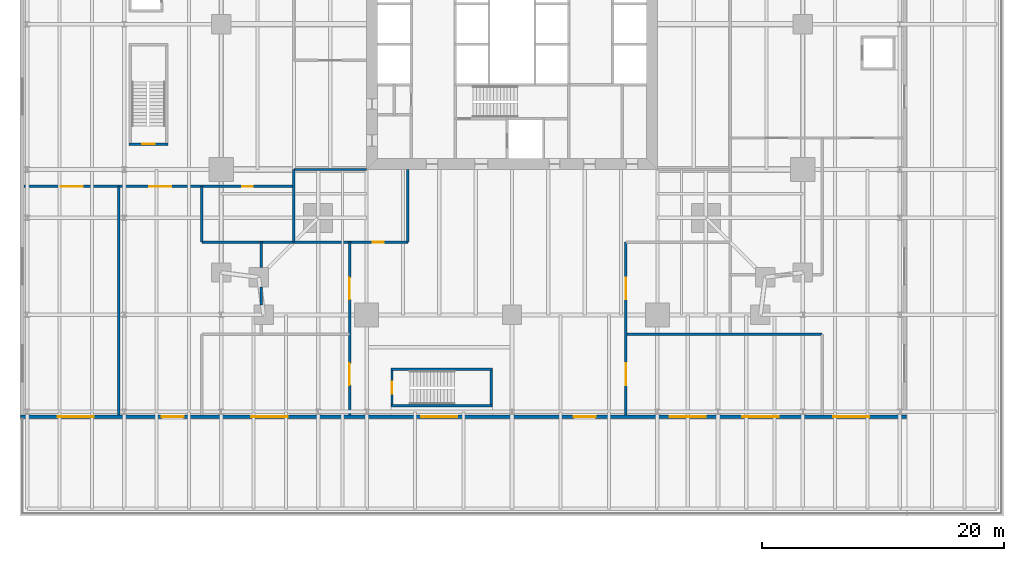
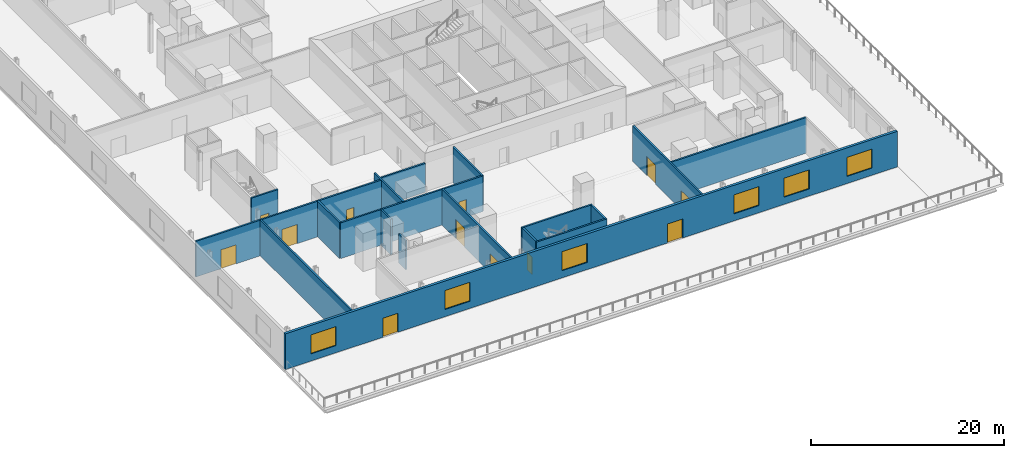
# One storey, part 10 of 18: 18 walls, 12 doors, 6 windows, 18 openings.
"""IFC4 building model written with IfcOpenShell, lengths in metres."""

from ifc_helpers import new_model, si_unit, direction, frame, frame_2d, origin, place, context, subcontext, project, spatial, rectangle, extrude, material, layer, layer_set, type_object, element, fill, save


model = new_model("IFC4")

# Units and contexts
model_context = context("Model", 3, precision=1e-05, world=origin(), true_north=direction((0.0, 1.0)))
body_context = subcontext(model_context, "Body", "Model", "MODEL_VIEW")
ifc_project = project(units=[si_unit("LENGTHUNIT", "METRE"), si_unit("AREAUNIT", "SQUARE_METRE"), si_unit("VOLUMEUNIT", "CUBIC_METRE"), si_unit("PLANEANGLEUNIT", "RADIAN"), si_unit("MASSUNIT", "GRAM", prefix="KILO")], contexts=[model_context])

# Site, building, storey
site_placement = place(None, origin())
site = spatial("IfcSite", under=ifc_project, at=site_placement, CompositionType="ELEMENT")
building_placement = place(site_placement, origin())
building = spatial("IfcBuilding", under=site, at=building_placement, Name="Fenwick Lantern Interchange", CompositionType="ELEMENT")
storey_placement = place(building_placement, frame((0.0, 0.0, 11.800048828125)))
storey = spatial("IfcBuildingStorey", under=building, at=storey_placement, Name="L02", CompositionType="ELEMENT", Elevation=11.800048828125)

# Wall, openings, doors, windows
ifc_material_1 = material(Name="Limestone ASTM C568 Classification II", Category="masonry")
ifc_layer_1 = layer(ifc_material_1, 0.074951171875)
ifc_material_2 = material(Name="Mineral wool insulation")
ifc_layer_2 = layer(ifc_material_2, 0.125)
ifc_material_3 = material(Name="Cold-formed galvanised steel studs", Category="steel")
ifc_layer_3 = layer(ifc_material_3, 0.10009765625)
ifc_layer_set_1 = layer_set([ifc_layer_1, ifc_layer_2, ifc_layer_3], Name="Limestone ASTM C568 Classification II")
wall_type_1 = type_object("IfcWallType", Name="LIMESTONE RAINSCREEN WALL 300", PredefinedType="SOLIDWALL", material=ifc_layer_set_1)
wall_1_placement = place(storey_placement, frame((-15.550048828125, -7.39990234375, 0.0), z_axis=(0.0, 0.0, 1.0), x_axis=(1.0, 0.0, 0.0)))
wall_1 = element("IfcWall", 1, at=wall_1_placement, inside=storey, type_object=wall_type_1, Name="L02/EW/S", PredefinedType="SOLIDWALL", context=body_context, shape_type="SweptSolid", body=[
    extrude(rectangle(XDim=73.10009765625, YDim=0.300048828125, at=frame_2d((36.550048828125, 0.0))), origin(), (0.0, 0.0, 1.0), 4.5),
])
opening_1_placement = place(wall_1_placement, frame((11.64990234375, 0.0, 0.0)))
opening_1 = element("IfcOpeningElement", 2, at=opening_1_placement, cuts=wall_1, Name="Opening L02-D001", PredefinedType="OPENING", context=body_context, shape_type="SweptSolid", body=[
    extrude(rectangle(XDim=1.800048828125, YDim=2.39990234375, at=frame_2d((0.89990234375, 1.199951171875))), frame((0.0, 0.159912109375, 0.0), z_axis=(0.0, -1.0, 0.0), x_axis=(1.0, 0.0, 0.0)), (0.0, 0.0, 1.0), 0.320068359375),
])
opening_2_placement = place(wall_1_placement, frame((45.64990234375, 0.0, 0.0)))
opening_2 = element("IfcOpeningElement", 3, at=opening_2_placement, cuts=wall_1, Name="Opening L02-D002", PredefinedType="OPENING", context=body_context, shape_type="SweptSolid", body=[
    extrude(rectangle(XDim=1.800048828125, YDim=2.39990234375, at=frame_2d((0.89990234375, 1.199951171875))), frame((0.0, 0.159912109375, 0.0), z_axis=(0.0, -1.0, 0.0), x_axis=(1.0, 0.0, 0.0)), (0.0, 0.0, 1.0), 0.320068359375),
])
opening_3_placement = place(wall_1_placement, frame((3.050048828125, 0.0, 0.89990234375)))
opening_3 = element("IfcOpeningElement", 4, at=opening_3_placement, cuts=wall_1, Name="Opening W1", PredefinedType="OPENING", context=body_context, shape_type="SweptSolid", body=[
    extrude(rectangle(XDim=3.0, YDim=2.39990234375, at=frame_2d((1.5, 1.199951171875))), frame((0.0, 0.159912109375, 0.0), z_axis=(0.0, -1.0, 0.0), x_axis=(1.0, 0.0, 0.0)), (0.0, 0.0, 1.0), 0.320068359375),
])
opening_4_placement = place(wall_1_placement, frame((19.050048828125, 0.0, 0.89990234375)))
opening_4 = element("IfcOpeningElement", 5, at=opening_4_placement, cuts=wall_1, Name="Opening W1", PredefinedType="OPENING", context=body_context, shape_type="SweptSolid", body=[
    extrude(rectangle(XDim=3.0, YDim=2.39990234375, at=frame_2d((1.5, 1.199951171875))), frame((0.0, 0.159912109375, 0.0), z_axis=(0.0, -1.0, 0.0), x_axis=(1.0, 0.0, 0.0)), (0.0, 0.0, 1.0), 0.320068359375),
])
opening_5_placement = place(wall_1_placement, frame((33.050048828125, 0.0, 0.89990234375)))
opening_5 = element("IfcOpeningElement", 6, at=opening_5_placement, cuts=wall_1, Name="Opening W1", PredefinedType="OPENING", context=body_context, shape_type="SweptSolid", body=[
    extrude(rectangle(XDim=3.0, YDim=2.39990234375, at=frame_2d((1.5, 1.199951171875))), frame((0.0, 0.159912109375, 0.0), z_axis=(0.0, -1.0, 0.0), x_axis=(1.0, 0.0, 0.0)), (0.0, 0.0, 1.0), 0.320068359375),
])
opening_6_placement = place(wall_1_placement, frame((53.550048828125, 0.0, 0.89990234375)))
opening_6 = element("IfcOpeningElement", 7, at=opening_6_placement, cuts=wall_1, Name="Opening W1", PredefinedType="OPENING", context=body_context, shape_type="SweptSolid", body=[
    extrude(rectangle(XDim=3.0, YDim=2.39990234375, at=frame_2d((1.5, 1.199951171875))), frame((0.0, 0.159912109375, 0.0), z_axis=(0.0, -1.0, 0.0), x_axis=(1.0, 0.0, 0.0)), (0.0, 0.0, 1.0), 0.320068359375),
])
opening_7_placement = place(wall_1_placement, frame((59.550048828125, 0.0, 0.89990234375)))
opening_7 = element("IfcOpeningElement", 8, at=opening_7_placement, cuts=wall_1, Name="Opening W1", PredefinedType="OPENING", context=body_context, shape_type="SweptSolid", body=[
    extrude(rectangle(XDim=3.0, YDim=2.39990234375, at=frame_2d((1.5, 1.199951171875))), frame((0.0, 0.159912109375, 0.0), z_axis=(0.0, -1.0, 0.0), x_axis=(1.0, 0.0, 0.0)), (0.0, 0.0, 1.0), 0.320068359375),
])
opening_8_placement = place(wall_1_placement, frame((67.050048828125, 0.0, 0.89990234375)))
opening_8 = element("IfcOpeningElement", 9, at=opening_8_placement, cuts=wall_1, Name="Opening W1", PredefinedType="OPENING", context=body_context, shape_type="SweptSolid", body=[
    extrude(rectangle(XDim=3.0, YDim=2.39990234375, at=frame_2d((1.5, 1.199951171875))), frame((0.0, 0.159912109375, 0.0), z_axis=(0.0, -1.0, 0.0), x_axis=(1.0, 0.0, 0.0)), (0.0, 0.0, 1.0), 0.320068359375),
])
ifc_material_4 = material(Name="Aluminium glazed door", Category="aluminium")
door_type_1 = type_object("IfcDoorType", Name="ENTRANCE DOOR PAIR 1800 X 2400", OperationType="DOUBLE_DOOR_SINGLE_SWING", PredefinedType="DOOR", material=ifc_material_4)
door_1_placement = place(opening_1_placement, origin())
door_1 = element("IfcDoor", 10, at=door_1_placement, inside=storey, type_object=door_type_1, Name="Entrance door pair", OperationType="DOUBLE_DOOR_SINGLE_SWING", OverallHeight=2.39990234375, OverallWidth=1.800048828125, PredefinedType="DOOR", context=body_context, shape_type="SweptSolid", body=[
    extrude(rectangle(XDim=1.800048828125, YDim=2.39990234375, at=frame_2d((0.89990234375, 1.199951171875))), frame((0.0, 0.02490234375, 0.0), z_axis=(0.0, -1.0, 0.0), x_axis=(1.0, 0.0, 0.0)), (0.0, 0.0, 1.0), 0.050048828125),
])
fill(opening_1, door_1)
door_2_placement = place(opening_2_placement, origin())
door_2 = element("IfcDoor", 11, at=door_2_placement, inside=storey, type_object=door_type_1, Name="Entrance door pair", OperationType="DOUBLE_DOOR_SINGLE_SWING", OverallHeight=2.39990234375, OverallWidth=1.800048828125, PredefinedType="DOOR", context=body_context, shape_type="SweptSolid", body=[
    extrude(rectangle(XDim=1.800048828125, YDim=2.39990234375, at=frame_2d((0.89990234375, 1.199951171875))), frame((0.0, 0.02490234375, 0.0), z_axis=(0.0, -1.0, 0.0), x_axis=(1.0, 0.0, 0.0)), (0.0, 0.0, 1.0), 0.050048828125),
])
fill(opening_2, door_2)
ifc_material_5 = material(Name="Aluminium window, clear glass", Category="aluminium")
window_type = type_object("IfcWindowType", Name="PODIUM WINDOW 3000 X 2400", PartitioningType="SINGLE_PANEL", PredefinedType="WINDOW", material=ifc_material_5)
window_1_placement = place(opening_3_placement, origin())
window_1 = element("IfcWindow", 12, at=window_1_placement, inside=storey, type_object=window_type, Name="Podium window", OverallHeight=2.39990234375, OverallWidth=3.0, PartitioningType="SINGLE_PANEL", PredefinedType="WINDOW", context=body_context, shape_type="SweptSolid", body=[
    extrude(rectangle(XDim=3.0, YDim=2.39990234375, at=frame_2d((1.5, 1.199951171875))), frame((0.0, 0.030029296875, 0.0), z_axis=(0.0, -1.0, 0.0), x_axis=(1.0, 0.0, 0.0)), (0.0, 0.0, 1.0), 0.06005859375),
])
fill(opening_3, window_1)
window_2_placement = place(opening_4_placement, origin())
window_2 = element("IfcWindow", 13, at=window_2_placement, inside=storey, type_object=window_type, Name="Podium window", OverallHeight=2.39990234375, OverallWidth=3.0, PartitioningType="SINGLE_PANEL", PredefinedType="WINDOW", context=body_context, shape_type="SweptSolid", body=[
    extrude(rectangle(XDim=3.0, YDim=2.39990234375, at=frame_2d((1.5, 1.199951171875))), frame((0.0, 0.030029296875, 0.0), z_axis=(0.0, -1.0, 0.0), x_axis=(1.0, 0.0, 0.0)), (0.0, 0.0, 1.0), 0.06005859375),
])
fill(opening_4, window_2)
window_3_placement = place(opening_5_placement, origin())
window_3 = element("IfcWindow", 14, at=window_3_placement, inside=storey, type_object=window_type, Name="Podium window", OverallHeight=2.39990234375, OverallWidth=3.0, PartitioningType="SINGLE_PANEL", PredefinedType="WINDOW", context=body_context, shape_type="SweptSolid", body=[
    extrude(rectangle(XDim=3.0, YDim=2.39990234375, at=frame_2d((1.5, 1.199951171875))), frame((0.0, 0.030029296875, 0.0), z_axis=(0.0, -1.0, 0.0), x_axis=(1.0, 0.0, 0.0)), (0.0, 0.0, 1.0), 0.06005859375),
])
fill(opening_5, window_3)
window_4_placement = place(opening_6_placement, origin())
window_4 = element("IfcWindow", 15, at=window_4_placement, inside=storey, type_object=window_type, Name="Podium window", OverallHeight=2.39990234375, OverallWidth=3.0, PartitioningType="SINGLE_PANEL", PredefinedType="WINDOW", context=body_context, shape_type="SweptSolid", body=[
    extrude(rectangle(XDim=3.0, YDim=2.39990234375, at=frame_2d((1.5, 1.199951171875))), frame((0.0, 0.030029296875, 0.0), z_axis=(0.0, -1.0, 0.0), x_axis=(1.0, 0.0, 0.0)), (0.0, 0.0, 1.0), 0.06005859375),
])
fill(opening_6, window_4)
window_5_placement = place(opening_7_placement, origin())
window_5 = element("IfcWindow", 16, at=window_5_placement, inside=storey, type_object=window_type, Name="Podium window", OverallHeight=2.39990234375, OverallWidth=3.0, PartitioningType="SINGLE_PANEL", PredefinedType="WINDOW", context=body_context, shape_type="SweptSolid", body=[
    extrude(rectangle(XDim=3.0, YDim=2.39990234375, at=frame_2d((1.5, 1.199951171875))), frame((0.0, 0.030029296875, 0.0), z_axis=(0.0, -1.0, 0.0), x_axis=(1.0, 0.0, 0.0)), (0.0, 0.0, 1.0), 0.06005859375),
])
fill(opening_7, window_5)
window_6_placement = place(opening_8_placement, origin())
window_6 = element("IfcWindow", 17, at=window_6_placement, inside=storey, type_object=window_type, Name="Podium window", OverallHeight=2.39990234375, OverallWidth=3.0, PartitioningType="SINGLE_PANEL", PredefinedType="WINDOW", context=body_context, shape_type="SweptSolid", body=[
    extrude(rectangle(XDim=3.0, YDim=2.39990234375, at=frame_2d((1.5, 1.199951171875))), frame((0.0, 0.030029296875, 0.0), z_axis=(0.0, -1.0, 0.0), x_axis=(1.0, 0.0, 0.0)), (0.0, 0.0, 1.0), 0.06005859375),
])
fill(opening_8, window_6)

# Walls
ifc_material_6 = material(Name="Gypsum board on steel studs, 1 hour", Category="steel")
ifc_layer_4 = layer(ifc_material_6, 0.199951171875)
ifc_layer_set_2 = layer_set([ifc_layer_4], Name="ROOM WALL 200")
wall_type_2 = type_object("IfcWallType", Name="ROOM WALL 200", PredefinedType="PARTITIONING", material=ifc_layer_set_2)
wall_2_placement = place(storey_placement, frame((-7.449951171875, -7.25, 0.0), z_axis=(0.0, 0.0, 1.0), x_axis=(0.0, 1.0, 0.0)))
element("IfcWall", 18, at=wall_2_placement, inside=storey, type_object=wall_type_2, Name="L02/W/POD/X-7.45-1", PredefinedType="PARTITIONING", context=body_context, shape_type="SweptSolid", body=[
    extrude(rectangle(XDim=18.85009765625, YDim=0.199951171875, at=frame_2d((9.425048828125, 0.0))), origin(), (0.0, 0.0, 1.0), 4.5),
])
wall_3_placement = place(storey_placement, frame((-0.60009765625, 7.0, 0.0), z_axis=(0.0, 0.0, 1.0), x_axis=(0.0, 1.0, 0.0)))
element("IfcWall", 19, at=wall_3_placement, inside=storey, type_object=wall_type_2, Name="L02/W/POD/X-0.6-2", PredefinedType="PARTITIONING", context=body_context, shape_type="SweptSolid", body=[
    extrude(rectangle(XDim=4.60009765625, YDim=0.199951171875, at=frame_2d((2.300048828125, 0.0))), origin(), (0.0, 0.0, 1.0), 4.5),
])
wall_4_placement = place(storey_placement, frame((4.300048828125, 1.800048828125, 0.0), z_axis=(0.0, 0.0, 1.0), x_axis=(0.0, 1.0, 0.0)))
element("IfcWall", 20, at=wall_4_placement, inside=storey, type_object=wall_type_2, Name="L02/W/POD/X4.3-2", PredefinedType="PARTITIONING", context=body_context, shape_type="SweptSolid", body=[
    extrude(rectangle(XDim=1.5, YDim=0.199951171875, at=frame_2d((0.75, 0.0))), origin(), (0.0, 0.0, 1.0), 3.64990234375),
])
wall_5_placement = place(storey_placement, frame((4.300048828125, 4.89990234375, 0.0), z_axis=(0.0, 0.0, 1.0), x_axis=(0.0, 1.0, 0.0)))
element("IfcWall", 21, at=wall_5_placement, inside=storey, type_object=wall_type_2, Name="L02/W/POD/X4.3-3", PredefinedType="PARTITIONING", context=body_context, shape_type="SweptSolid", body=[
    extrude(rectangle(XDim=2.10009765625, YDim=0.199951171875, at=frame_2d((1.050048828125, 0.0))), origin(), (0.0, 0.0, 1.0), 4.5),
])
wall_6_placement = place(storey_placement, frame((7.0, 7.0, 0.0), z_axis=(0.0, 0.0, 1.0), x_axis=(0.0, 1.0, 0.0)))
element("IfcWall", 22, at=wall_6_placement, inside=storey, type_object=wall_type_2, Name="L02/W/POD/X7-1", PredefinedType="PARTITIONING", context=body_context, shape_type="SweptSolid", body=[
    extrude(rectangle(XDim=6.0, YDim=0.199951171875, at=frame_2d((3.0, 0.0))), origin(), (0.0, 0.0, 1.0), 4.5),
])

# Wall, openings, doors
wall_7_placement = place(storey_placement, frame((11.60009765625, -7.25, 0.0), z_axis=(0.0, 0.0, 1.0), x_axis=(0.0, 1.0, 0.0)))
wall_7 = element("IfcWall", 23, at=wall_7_placement, inside=storey, type_object=wall_type_2, Name="L02/W/POD/X11.6-1", PredefinedType="PARTITIONING", context=body_context, shape_type="SweptSolid", body=[
    extrude(rectangle(XDim=14.25, YDim=0.199951171875, at=frame_2d((7.125, 0.0))), origin(), (0.0, 0.0, 1.0), 4.5),
])
opening_9_placement = place(wall_7_placement, frame((2.449951171875, 0.0, 0.0)))
opening_9 = element("IfcOpeningElement", 24, at=opening_9_placement, cuts=wall_7, Name="Opening L02-D028", PredefinedType="OPENING", context=body_context, shape_type="SweptSolid", body=[
    extrude(rectangle(XDim=1.800048828125, YDim=2.39990234375, at=frame_2d((0.89990234375, 1.199951171875))), frame((0.0, 0.10986328125, 0.0), z_axis=(0.0, -1.0, 0.0), x_axis=(1.0, 0.0, 0.0)), (0.0, 0.0, 1.0), 0.219970703125),
])
opening_10_placement = place(wall_7_placement, frame((9.52490234375, 0.0, 0.0)))
opening_10 = element("IfcOpeningElement", 25, at=opening_10_placement, cuts=wall_7, Name="Opening L02-D029", PredefinedType="OPENING", context=body_context, shape_type="SweptSolid", body=[
    extrude(rectangle(XDim=1.800048828125, YDim=2.39990234375, at=frame_2d((0.89990234375, 1.199951171875))), frame((0.0, 0.10986328125, 0.0), z_axis=(0.0, -1.0, 0.0), x_axis=(1.0, 0.0, 0.0)), (0.0, 0.0, 1.0), 0.219970703125),
])
ifc_material_7 = material(Name="Steel door and frame", Category="steel")
door_type_2 = type_object("IfcDoorType", Name="ROOM DOOR PAIR 1800 X 2400", OperationType="DOUBLE_DOOR_SINGLE_SWING", PredefinedType="DOOR", material=ifc_material_7)
door_3_placement = place(opening_9_placement, frame((1.800048828125, 0.0, 0.0), z_axis=(0.0, 0.0, 1.0), x_axis=(-1.0, 0.0, 0.0)))
door_3 = element("IfcDoor", 26, at=door_3_placement, inside=storey, type_object=door_type_2, Name="Room door pair", OperationType="DOUBLE_DOOR_SINGLE_SWING", OverallHeight=2.39990234375, OverallWidth=1.800048828125, PredefinedType="DOOR", context=body_context, shape_type="SweptSolid", body=[
    extrude(rectangle(XDim=1.800048828125, YDim=2.39990234375, at=frame_2d((0.89990234375, 1.199951171875))), frame((0.0, 0.02490234375, 0.0), z_axis=(0.0, -1.0, 0.0), x_axis=(1.0, 0.0, 0.0)), (0.0, 0.0, 1.0), 0.050048828125),
])
fill(opening_9, door_3)
door_4_placement = place(opening_10_placement, frame((1.800048828125, 0.0, 0.0), z_axis=(0.0, 0.0, 1.0), x_axis=(-1.0, 0.0, 0.0)))
door_4 = element("IfcDoor", 27, at=door_4_placement, inside=storey, type_object=door_type_2, Name="Room door pair", OperationType="DOUBLE_DOOR_SINGLE_SWING", OverallHeight=2.39990234375, OverallWidth=1.800048828125, PredefinedType="DOOR", context=body_context, shape_type="SweptSolid", body=[
    extrude(rectangle(XDim=1.800048828125, YDim=2.39990234375, at=frame_2d((0.89990234375, 1.199951171875))), frame((0.0, 0.02490234375, 0.0), z_axis=(0.0, -1.0, 0.0), x_axis=(1.0, 0.0, 0.0)), (0.0, 0.0, 1.0), 0.050048828125),
])
fill(opening_10, door_4)

# Wall
wall_8_placement = place(storey_placement, frame((16.39990234375, 7.0, 0.0), z_axis=(0.0, 0.0, 1.0), x_axis=(0.0, 1.0, 0.0)))
element("IfcWall", 28, at=wall_8_placement, inside=storey, type_object=wall_type_2, Name="L02/W/POD/X16.4-1", PredefinedType="PARTITIONING", context=body_context, shape_type="SweptSolid", body=[
    extrude(rectangle(XDim=6.0, YDim=0.199951171875, at=frame_2d((3.0, 0.0))), origin(), (0.0, 0.0, 1.0), 4.5),
])

# Wall, openings, doors
wall_9_placement = place(storey_placement, frame((34.39990234375, -7.25, 0.0), z_axis=(0.0, 0.0, 1.0), x_axis=(0.0, 1.0, 0.0)))
wall_9 = element("IfcWall", 29, at=wall_9_placement, inside=storey, type_object=wall_type_2, Name="L02/W/POD/X34.4-1", PredefinedType="PARTITIONING", context=body_context, shape_type="SweptSolid", body=[
    extrude(rectangle(XDim=14.25, YDim=0.199951171875, at=frame_2d((7.125, 0.0))), origin(), (0.0, 0.0, 1.0), 4.5),
])
opening_11_placement = place(wall_9_placement, frame((2.449951171875, 0.0, 0.0)))
opening_11 = element("IfcOpeningElement", 30, at=opening_11_placement, cuts=wall_9, Name="Opening L02-D033", PredefinedType="OPENING", context=body_context, shape_type="SweptSolid", body=[
    extrude(rectangle(XDim=1.800048828125, YDim=2.39990234375, at=frame_2d((0.89990234375, 1.199951171875))), frame((0.0, 0.10986328125, 0.0), z_axis=(0.0, -1.0, 0.0), x_axis=(1.0, 0.0, 0.0)), (0.0, 0.0, 1.0), 0.219970703125),
])
opening_12_placement = place(wall_9_placement, frame((9.52490234375, 0.0, 0.0)))
opening_12 = element("IfcOpeningElement", 31, at=opening_12_placement, cuts=wall_9, Name="Opening L02-D034", PredefinedType="OPENING", context=body_context, shape_type="SweptSolid", body=[
    extrude(rectangle(XDim=1.800048828125, YDim=2.39990234375, at=frame_2d((0.89990234375, 1.199951171875))), frame((0.0, 0.10986328125, 0.0), z_axis=(0.0, -1.0, 0.0), x_axis=(1.0, 0.0, 0.0)), (0.0, 0.0, 1.0), 0.219970703125),
])
door_5_placement = place(opening_11_placement, origin())
door_5 = element("IfcDoor", 32, at=door_5_placement, inside=storey, type_object=door_type_2, Name="Room door pair", OperationType="DOUBLE_DOOR_SINGLE_SWING", OverallHeight=2.39990234375, OverallWidth=1.800048828125, PredefinedType="DOOR", context=body_context, shape_type="SweptSolid", body=[
    extrude(rectangle(XDim=1.800048828125, YDim=2.39990234375, at=frame_2d((0.89990234375, 1.199951171875))), frame((0.0, 0.02490234375, 0.0), z_axis=(0.0, -1.0, 0.0), x_axis=(1.0, 0.0, 0.0)), (0.0, 0.0, 1.0), 0.050048828125),
])
fill(opening_11, door_5)
door_6_placement = place(opening_12_placement, origin())
door_6 = element("IfcDoor", 33, at=door_6_placement, inside=storey, type_object=door_type_2, Name="Room door pair", OperationType="DOUBLE_DOOR_SINGLE_SWING", OverallHeight=2.39990234375, OverallWidth=1.800048828125, PredefinedType="DOOR", context=body_context, shape_type="SweptSolid", body=[
    extrude(rectangle(XDim=1.800048828125, YDim=2.39990234375, at=frame_2d((0.89990234375, 1.199951171875))), frame((0.0, 0.02490234375, 0.0), z_axis=(0.0, -1.0, 0.0), x_axis=(1.0, 0.0, 0.0)), (0.0, 0.0, 1.0), 0.050048828125),
])
fill(opening_12, door_6)

# Wall
wall_10_placement = place(storey_placement, frame((34.39990234375, -0.60009765625, 0.0), z_axis=(0.0, 0.0, 1.0), x_axis=(1.0, 0.0, 0.0)))
element("IfcWall", 34, at=wall_10_placement, inside=storey, type_object=wall_type_2, Name="L02/W/POD/Y-0.6-2", PredefinedType="PARTITIONING", context=body_context, shape_type="SweptSolid", body=[
    extrude(rectangle(XDim=16.2001953125, YDim=0.199951171875, at=frame_2d((8.10009765625, 0.0))), origin(), (0.0, 0.0, 1.0), 4.5),
])

# Wall, opening, door
wall_11_placement = place(storey_placement, frame((-0.60009765625, 7.0, 0.0), z_axis=(0.0, 0.0, 1.0), x_axis=(1.0, 0.0, 0.0)))
wall_11 = element("IfcWall", 35, at=wall_11_placement, inside=storey, type_object=wall_type_2, Name="L02/W/POD/Y7-1", PredefinedType="PARTITIONING", context=body_context, shape_type="SweptSolid", body=[
    extrude(rectangle(XDim=17.0, YDim=0.199951171875, at=frame_2d((8.5, 0.0))), origin(), (0.0, 0.0, 1.0), 4.5),
])
opening_13_placement = place(wall_11_placement, frame((14.125, 0.0, 0.0)))
opening_13 = element("IfcOpeningElement", 36, at=opening_13_placement, cuts=wall_11, Name="Opening L02-D048", PredefinedType="OPENING", context=body_context, shape_type="SweptSolid", body=[
    extrude(rectangle(XDim=0.89990234375, YDim=2.199951171875, at=frame_2d((0.449951171875, 1.10009765625))), frame((0.0, 0.10986328125, 0.0), z_axis=(0.0, -1.0, 0.0), x_axis=(1.0, 0.0, 0.0)), (0.0, 0.0, 1.0), 0.219970703125),
])
ifc_material_8 = material(Name="Hardwood door and steel frame", Category="steel")
door_type_3 = type_object("IfcDoorType", Name="OFFICE DOOR 900 X 2200", OperationType="SINGLE_SWING_LEFT", PredefinedType="DOOR", material=ifc_material_8)
door_7_placement = place(opening_13_placement, origin())
door_7 = element("IfcDoor", 37, at=door_7_placement, inside=storey, type_object=door_type_3, Name="Office door", OperationType="SINGLE_SWING_RIGHT", OverallHeight=2.199951171875, OverallWidth=0.89990234375, PredefinedType="DOOR", context=body_context, shape_type="SweptSolid", body=[
    extrude(rectangle(XDim=0.89990234375, YDim=2.199951171875, at=frame_2d((0.449951171875, 1.10009765625))), frame((0.0, 0.02490234375, 0.0), z_axis=(0.0, -1.0, 0.0), x_axis=(1.0, 0.0, 0.0)), (0.0, 0.0, 1.0), 0.050048828125),
])
fill(opening_13, door_7)

# Wall, openings, doors
wall_12_placement = place(storey_placement, frame((-15.25, 11.60009765625, 0.0), z_axis=(0.0, 0.0, 1.0), x_axis=(1.0, 0.0, 0.0)))
wall_12 = element("IfcWall", 38, at=wall_12_placement, inside=storey, type_object=wall_type_2, Name="L02/W/POD/Y11.6-1", PredefinedType="PARTITIONING", context=body_context, shape_type="SweptSolid", body=[
    extrude(rectangle(XDim=22.25, YDim=0.199951171875, at=frame_2d((11.125, 0.0))), origin(), (0.0, 0.0, 1.0), 4.5),
])
opening_14_placement = place(wall_12_placement, frame((10.324951171875, 0.0, 0.0)))
opening_14 = element("IfcOpeningElement", 39, at=opening_14_placement, cuts=wall_12, Name="Opening L02-D030", PredefinedType="OPENING", context=body_context, shape_type="SweptSolid", body=[
    extrude(rectangle(XDim=1.800048828125, YDim=2.39990234375, at=frame_2d((0.89990234375, 1.199951171875))), frame((0.0, 0.10986328125, 0.0), z_axis=(0.0, -1.0, 0.0), x_axis=(1.0, 0.0, 0.0)), (0.0, 0.0, 1.0), 0.219970703125),
])
opening_15_placement = place(wall_12_placement, frame((3.02490234375, 0.0, 0.0)))
opening_15 = element("IfcOpeningElement", 40, at=opening_15_placement, cuts=wall_12, Name="Opening L02-D031", PredefinedType="OPENING", context=body_context, shape_type="SweptSolid", body=[
    extrude(rectangle(XDim=1.800048828125, YDim=2.39990234375, at=frame_2d((0.89990234375, 1.199951171875))), frame((0.0, 0.10986328125, 0.0), z_axis=(0.0, -1.0, 0.0), x_axis=(1.0, 0.0, 0.0)), (0.0, 0.0, 1.0), 0.219970703125),
])
opening_16_placement = place(wall_12_placement, frame((17.97509765625, 0.0, 0.0)))
opening_16 = element("IfcOpeningElement", 41, at=opening_16_placement, cuts=wall_12, Name="Opening L02-D032", PredefinedType="OPENING", context=body_context, shape_type="SweptSolid", body=[
    extrude(rectangle(XDim=0.89990234375, YDim=2.199951171875, at=frame_2d((0.449951171875, 1.10009765625))), frame((0.0, 0.10986328125, 0.0), z_axis=(0.0, -1.0, 0.0), x_axis=(1.0, 0.0, 0.0)), (0.0, 0.0, 1.0), 0.219970703125),
])
door_8_placement = place(opening_16_placement, frame((0.89990234375, 0.0, 0.0), z_axis=(0.0, 0.0, 1.0), x_axis=(-1.0, 0.0, 0.0)))
door_8 = element("IfcDoor", 42, at=door_8_placement, inside=storey, type_object=door_type_3, Name="Office door", OperationType="SINGLE_SWING_RIGHT", OverallHeight=2.199951171875, OverallWidth=0.89990234375, PredefinedType="DOOR", context=body_context, shape_type="SweptSolid", body=[
    extrude(rectangle(XDim=0.89990234375, YDim=2.199951171875, at=frame_2d((0.449951171875, 1.10009765625))), frame((0.0, 0.02490234375, 0.0), z_axis=(0.0, -1.0, 0.0), x_axis=(1.0, 0.0, 0.0)), (0.0, 0.0, 1.0), 0.050048828125),
])
fill(opening_16, door_8)
door_9_placement = place(opening_14_placement, origin())
door_9 = element("IfcDoor", 43, at=door_9_placement, inside=storey, type_object=door_type_2, Name="Room door pair", OperationType="DOUBLE_DOOR_SINGLE_SWING", OverallHeight=2.39990234375, OverallWidth=1.800048828125, PredefinedType="DOOR", context=body_context, shape_type="SweptSolid", body=[
    extrude(rectangle(XDim=1.800048828125, YDim=2.39990234375, at=frame_2d((0.89990234375, 1.199951171875))), frame((0.0, 0.02490234375, 0.0), z_axis=(0.0, -1.0, 0.0), x_axis=(1.0, 0.0, 0.0)), (0.0, 0.0, 1.0), 0.050048828125),
])
fill(opening_14, door_9)
door_10_placement = place(opening_15_placement, origin())
door_10 = element("IfcDoor", 44, at=door_10_placement, inside=storey, type_object=door_type_2, Name="Room door pair", OperationType="DOUBLE_DOOR_SINGLE_SWING", OverallHeight=2.39990234375, OverallWidth=1.800048828125, PredefinedType="DOOR", context=body_context, shape_type="SweptSolid", body=[
    extrude(rectangle(XDim=1.800048828125, YDim=2.39990234375, at=frame_2d((0.89990234375, 1.199951171875))), frame((0.0, 0.02490234375, 0.0), z_axis=(0.0, -1.0, 0.0), x_axis=(1.0, 0.0, 0.0)), (0.0, 0.0, 1.0), 0.050048828125),
])
fill(opening_15, door_10)

# Walls
wall_13_placement = place(storey_placement, frame((7.0, 13.0, 0.0), z_axis=(0.0, 0.0, 1.0), x_axis=(1.0, 0.0, 0.0)))
element("IfcWall", 45, at=wall_13_placement, inside=storey, type_object=wall_type_2, Name="L02/W/POD/Y13-1", PredefinedType="PARTITIONING", context=body_context, shape_type="SweptSolid", body=[
    extrude(rectangle(XDim=6.0, YDim=0.199951171875, at=frame_2d((3.0, 0.0))), origin(), (0.0, 0.0, 1.0), 3.652587890625),
])
ifc_material_9 = material(Name="Reinforced concrete masonry ASTM C90 Grade N", Category="masonry")
ifc_layer_5 = layer(ifc_material_9, 0.199951171875)
ifc_layer_set_3 = layer_set([ifc_layer_5], Name="Reinforced concrete masonry ASTM C90 Grade N")
wall_type_3 = type_object("IfcWallType", Name="STAIR ENCLOSURE 200", PredefinedType="SOLIDWALL", material=ifc_layer_set_3)
wall_14_placement = place(storey_placement, frame((15.0, -6.5, 0.0), z_axis=(0.0, 0.0, 1.0), x_axis=(1.0, 0.0, 0.0)))
element("IfcWall", 46, at=wall_14_placement, inside=storey, type_object=wall_type_3, Name="L02/W/PS2/S", PredefinedType="SOLIDWALL", context=body_context, shape_type="SweptSolid", body=[
    extrude(rectangle(XDim=8.39990234375, YDim=0.199951171875, at=frame_2d((4.199951171875, 0.0))), origin(), (0.0, 0.0, 1.0), 4.800048828125),
])
wall_15_placement = place(storey_placement, frame((23.300048828125, -6.39990234375, 0.0), z_axis=(0.0, 0.0, 1.0), x_axis=(0.0, 1.0, 0.0)))
element("IfcWall", 47, at=wall_15_placement, inside=storey, type_object=wall_type_3, Name="L02/W/PS2/E", PredefinedType="SOLIDWALL", context=body_context, shape_type="SweptSolid", body=[
    extrude(rectangle(XDim=2.7998046875, YDim=0.199951171875, at=frame_2d((1.39990234375, 0.0))), origin(), (0.0, 0.0, 1.0), 4.800048828125),
])
wall_16_placement = place(storey_placement, frame((23.39990234375, -3.5, 0.0), z_axis=(0.0, 0.0, 1.0), x_axis=(-1.0, 0.0, 0.0)))
element("IfcWall", 48, at=wall_16_placement, inside=storey, type_object=wall_type_3, Name="L02/W/PS2/N", PredefinedType="SOLIDWALL", context=body_context, shape_type="SweptSolid", body=[
    extrude(rectangle(XDim=8.39990234375, YDim=0.199951171875, at=frame_2d((4.199951171875, 0.0))), origin(), (0.0, 0.0, 1.0), 4.800048828125),
])

# Wall, opening, door
wall_17_placement = place(storey_placement, frame((15.10009765625, -3.60009765625, 0.0), z_axis=(0.0, 0.0, 1.0), x_axis=(0.0, -1.0, 0.0)))
wall_17 = element("IfcWall", 49, at=wall_17_placement, inside=storey, type_object=wall_type_3, Name="L02/W/PS2/W", PredefinedType="SOLIDWALL", context=body_context, shape_type="SweptSolid", body=[
    extrude(rectangle(XDim=2.7998046875, YDim=0.199951171875, at=frame_2d((1.39990234375, 0.0))), origin(), (0.0, 0.0, 1.0), 4.800048828125),
])
opening_17_placement = place(wall_17_placement, frame((0.89990234375, 0.0, 0.0)))
opening_17 = element("IfcOpeningElement", 50, at=opening_17_placement, cuts=wall_17, Name="Opening L02-D025", PredefinedType="OPENING", context=body_context, shape_type="SweptSolid", body=[
    extrude(rectangle(XDim=1.0, YDim=2.199951171875, at=frame_2d((0.5, 1.10009765625))), frame((0.0, 0.10986328125, 0.0), z_axis=(0.0, -1.0, 0.0), x_axis=(1.0, 0.0, 0.0)), (0.0, 0.0, 1.0), 0.219970703125),
])
door_type_4 = type_object("IfcDoorType", Name="STAIR DOOR 1000 X 2200", OperationType="SINGLE_SWING_LEFT", PredefinedType="DOOR", material=ifc_material_7)
door_11_placement = place(opening_17_placement, origin())
door_11 = element("IfcDoor", 51, at=door_11_placement, inside=storey, type_object=door_type_4, Name="Stair door", OperationType="SINGLE_SWING_LEFT", OverallHeight=2.199951171875, OverallWidth=1.0, PredefinedType="DOOR", context=body_context, shape_type="SweptSolid", body=[
    extrude(rectangle(XDim=1.0, YDim=2.199951171875, at=frame_2d((0.5, 1.10009765625))), frame((0.0, 0.02490234375, 0.0), z_axis=(0.0, -1.0, 0.0), x_axis=(1.0, 0.0, 0.0)), (0.0, 0.0, 1.0), 0.050048828125),
])
fill(opening_17, door_11)

wall_18_placement = place(storey_placement, frame((-6.60009765625, 15.10009765625, 0.0), z_axis=(0.0, 0.0, 1.0), x_axis=(1.0, 0.0, 0.0)))
wall_18 = element("IfcWall", 52, at=wall_18_placement, inside=storey, type_object=wall_type_3, Name="L02/W/PS3/S", PredefinedType="SOLIDWALL", context=body_context, shape_type="SweptSolid", body=[
    extrude(rectangle(XDim=3.2001953125, YDim=0.199951171875, at=frame_2d((1.60009765625, 0.0))), origin(), (0.0, 0.0, 1.0), 4.800048828125),
])
opening_18_placement = place(wall_18_placement, frame((1.10009765625, 0.0, 0.0)))
opening_18 = element("IfcOpeningElement", 53, at=opening_18_placement, cuts=wall_18, Name="Opening L02-D026", PredefinedType="OPENING", context=body_context, shape_type="SweptSolid", body=[
    extrude(rectangle(XDim=1.0, YDim=2.199951171875, at=frame_2d((0.5, 1.10009765625))), frame((0.0, 0.10986328125, 0.0), z_axis=(0.0, -1.0, 0.0), x_axis=(1.0, 0.0, 0.0)), (0.0, 0.0, 1.0), 0.219970703125),
])
door_12_placement = place(opening_18_placement, origin())
door_12 = element("IfcDoor", 54, at=door_12_placement, inside=storey, type_object=door_type_4, Name="Stair door", OperationType="SINGLE_SWING_LEFT", OverallHeight=2.199951171875, OverallWidth=1.0, PredefinedType="DOOR", context=body_context, shape_type="SweptSolid", body=[
    extrude(rectangle(XDim=1.0, YDim=2.199951171875, at=frame_2d((0.5, 1.10009765625))), frame((0.0, 0.02490234375, 0.0), z_axis=(0.0, -1.0, 0.0), x_axis=(1.0, 0.0, 0.0)), (0.0, 0.0, 1.0), 0.050048828125),
])
fill(opening_18, door_12)

save(model, "model.ifc")
